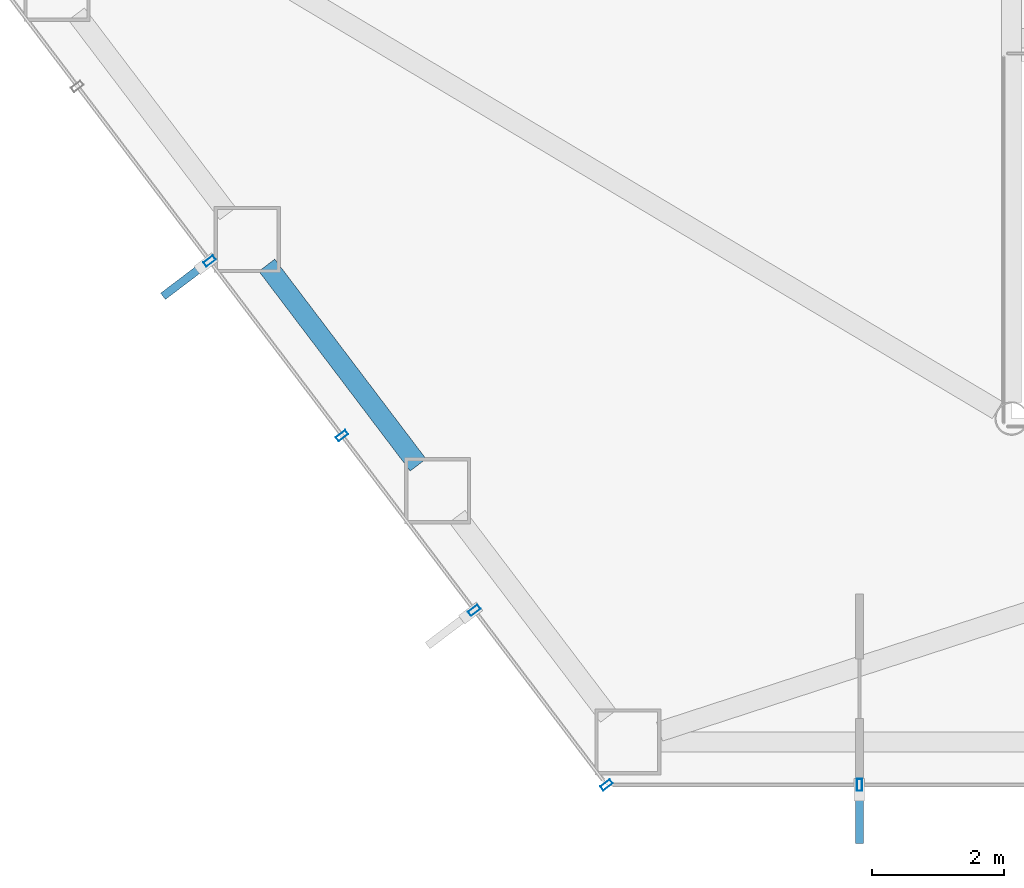
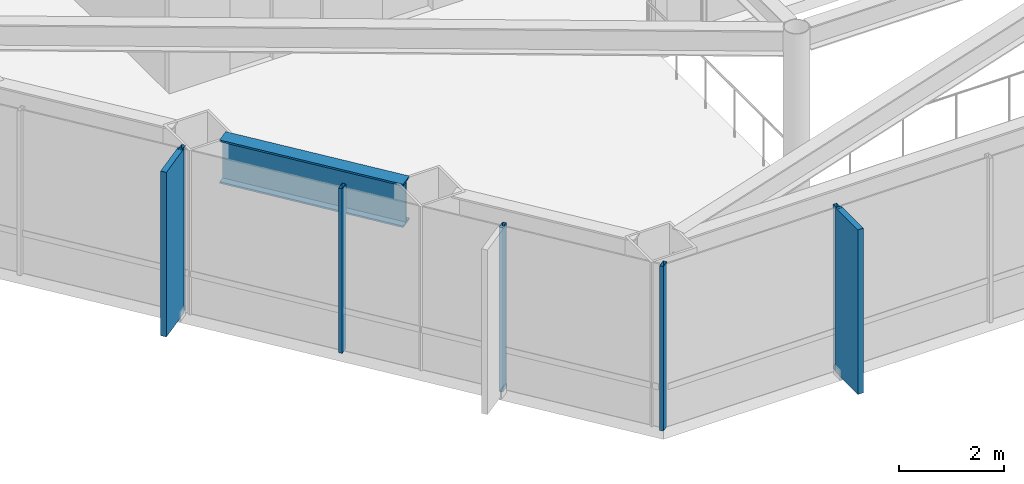
# One storey, part 2 of 25: 7 members, 1 beam, 2 elements without a shape of their own.
"""IFC4 building model written with IfcOpenShell, lengths in metres."""

from ifc_helpers import new_model, si_unit, direction, frame, origin, origin_2d, place, context, subcontext, project, spatial, rectangle, hollow_rectangle, i_section, extrude, material, layer, layer_set, material_profile, profile_set, type_object, element, aggregate, save


model = new_model("IFC4")

# Units and contexts
model_context = context("Model", 3, precision=1e-05, world=origin(), true_north=direction((0.0, 1.0)))
body_context = subcontext(model_context, "Body", "Model", "MODEL_VIEW")
ifc_project = project(units=[si_unit("LENGTHUNIT", "METRE"), si_unit("AREAUNIT", "SQUARE_METRE"), si_unit("VOLUMEUNIT", "CUBIC_METRE"), si_unit("PLANEANGLEUNIT", "RADIAN"), si_unit("MASSUNIT", "GRAM", prefix="KILO")], contexts=[model_context])

# Site, building, storey
site_placement = place(None, origin())
site = spatial("IfcSite", under=ifc_project, at=site_placement, CompositionType="ELEMENT")
building_placement = place(site_placement, origin())
building = spatial("IfcBuilding", under=site, at=building_placement, Name="Zarrinselat Tower", CompositionType="ELEMENT")
storey_placement = place(building_placement, frame((0.0, 0.0, 56.10009765625)))
storey = spatial("IfcBuildingStorey", under=building, at=storey_placement, Name="L13", CompositionType="ELEMENT", Elevation=56.10009765625)

# Beam
ifc_material_1 = material(Name="Steel S460M", Category="steel")
ifc_material_profile_1 = material_profile(ifc_material_1, i_section(OverallWidth=0.302001953125, OverallDepth=1.008056640625, WebThickness=0.02099609375, FlangeThickness=0.0400390625, at=origin_2d()), Name="HEM 1000")
ifc_profile_set_1 = profile_set([ifc_material_profile_1], Name="Steel S460M")
beam_type = type_object("IfcBeamType", Name="BM-HEM1000", PredefinedType="BEAM", material=ifc_profile_set_1)
beam_placement = place(storey_placement, frame((22.541015625, 26.718017578125, 3.31591796875), z_axis=(0.603839076561, -0.797106247384, 0.0), x_axis=(0.797106247384, 0.603839076561, 0.0)))
element("IfcBeam", 1, at=beam_placement, inside=storey, type_object=beam_type, Name="L13 Perimeter Spandrel Girder SP08", PredefinedType="BEAM", context=body_context, shape_type="SweptSolid", body=[
    extrude(i_section(OverallWidth=0.302001953125, OverallDepth=1.008056640625, WebThickness=0.02099609375, FlangeThickness=0.0400390625, at=origin_2d()), origin(), (0.0, 0.0, 1.0), 3.788330078125),
])

# Curtain wall, members
ifc_material_2 = material(Name="Extruded Aluminium Alloy EN AW-6063 T6", Category="aluminium")
ifc_layer = layer(ifc_material_2, 0.18505859375)
ifc_layer_set = layer_set([ifc_layer], Name="Extruded Aluminium Alloy EN AW-6063 T6")
curtain_wall_type = type_object("IfcCurtainWallType", Name="CWS-OFF", PredefinedType="NOTDEFINED", material=ifc_layer_set)
curtain_wall_1_placement = place(storey_placement, origin())
curtain_wall_1 = element("IfcCurtainWall", 2, at=curtain_wall_1_placement, inside=storey, type_object=curtain_wall_type, Name="L13 Unitised Curtain Wall CW-L13-E03", PredefinedType="NOTDEFINED")
ifc_material_3 = material(Name="Extruded Aluminium Alloy EN AW-6063 T6", Category="aluminium")
ifc_material_profile_2 = material_profile(ifc_material_3, hollow_rectangle(XDim=0.080078125, YDim=0.179931640625, WallThickness=0.0048828125, at=origin_2d()), Name="RHS 180x80x5")
ifc_profile_set_2 = profile_set([ifc_material_profile_2], Name="Extruded Aluminium Alloy EN AW-6063 T6")
member_type_1 = type_object("IfcMemberType", Name="MEM-CW-MUL", PredefinedType="MULLION", material=ifc_profile_set_2)
member_1_placement = place(storey_placement, frame((21.677001953125, 26.781982421875, 0.0), z_axis=(0.0, 0.0, 1.0), x_axis=(0.603861563254, -0.797089212337, 0.0)))
member_1 = element("IfcMember", 3, at=member_1_placement, type_object=member_type_1, Name="CW-L13-E03 Mullion 3", PredefinedType="MULLION", context=body_context, shape_type="SweptSolid", body=[
    extrude(hollow_rectangle(XDim=0.080078125, YDim=0.179931640625, WallThickness=0.0048828125, at=origin_2d()), origin(), (0.0, 0.0, 1.0), 3.81982421875),
])
member_2_placement = place(storey_placement, frame((23.67724609375, 24.141845703125, 0.0), z_axis=(0.0, 0.0, 1.0), x_axis=(0.603861563254, -0.797089212337, 0.0)))
member_2 = element("IfcMember", 4, at=member_2_placement, type_object=member_type_1, Name="CW-L13-E03 Mullion 4", PredefinedType="MULLION", context=body_context, shape_type="SweptSolid", body=[
    extrude(hollow_rectangle(XDim=0.080078125, YDim=0.179931640625, WallThickness=0.0048828125, at=origin_2d()), origin(), (0.0, 0.0, 1.0), 3.81982421875),
])
member_3_placement = place(storey_placement, frame((25.67724609375, 21.501708984375, 0.0), z_axis=(0.0, 0.0, 1.0), x_axis=(0.603861563254, -0.797089212337, 0.0)))
member_3 = element("IfcMember", 5, at=member_3_placement, type_object=member_type_1, Name="CW-L13-E03 Mullion 5", PredefinedType="MULLION", context=body_context, shape_type="SweptSolid", body=[
    extrude(hollow_rectangle(XDim=0.080078125, YDim=0.179931640625, WallThickness=0.0048828125, at=origin_2d()), origin(), (0.0, 0.0, 1.0), 3.81982421875),
])
member_4_placement = place(storey_placement, frame((27.677490234375, 18.86181640625, 0.0), z_axis=(0.0, 0.0, 1.0), x_axis=(0.603861563254, -0.797089212337, 0.0)))
member_4 = element("IfcMember", 6, at=member_4_placement, type_object=member_type_1, Name="CW-L13-E03 Mullion 6", PredefinedType="MULLION", context=body_context, shape_type="SweptSolid", body=[
    extrude(hollow_rectangle(XDim=0.080078125, YDim=0.179931640625, WallThickness=0.0048828125, at=origin_2d()), origin(), (0.0, 0.0, 1.0), 3.81982421875),
])

# Curtain wall, member
curtain_wall_2_placement = place(storey_placement, origin())
curtain_wall_2 = element("IfcCurtainWall", 7, at=curtain_wall_2_placement, inside=storey, type_object=curtain_wall_type, Name="L13 Unitised Curtain Wall CW-L13-E04", PredefinedType="NOTDEFINED")
member_5_placement = place(storey_placement, frame((31.5, 18.86181640625, 0.0), z_axis=(0.0, 0.0, 1.0), x_axis=(1.0, 0.0, 0.0)))
member_5 = element("IfcMember", 8, at=member_5_placement, type_object=member_type_1, Name="CW-L13-E04 Mullion 1", PredefinedType="MULLION", context=body_context, shape_type="SweptSolid", body=[
    extrude(hollow_rectangle(XDim=0.080078125, YDim=0.179931640625, WallThickness=0.0048828125, at=origin_2d()), origin(), (0.0, 0.0, 1.0), 3.81982421875),
])

# Member
ifc_material_4 = material(Name="Honed Cream Travertine Stone", Category="masonry")
ifc_material_profile_3 = material_profile(ifc_material_4, rectangle(XDim=0.1201171875, YDim=0.85009765625, at=origin_2d()), Name="FIN 850x120")
ifc_profile_set_3 = profile_set([ifc_material_profile_3], Name="Honed Cream Travertine Stone")
member_type_2 = type_object("IfcMemberType", Name="MEM-STONE-FIN", PredefinedType="USERDEFINED", material=ifc_profile_set_3)
member_6_placement = place(storey_placement, frame((21.310302734375, 26.504150390625, 0.0), z_axis=(0.0, 0.0, 1.0), x_axis=(-0.603861563254, 0.797089212337, 0.0)))
member_6 = element("IfcMember", 9, at=member_6_placement, type_object=member_type_2, Name="L13 Stone Shading Fin CW-L13-E03-03", ObjectType="FIN", PredefinedType="USERDEFINED", context=body_context, shape_type="SweptSolid", body=[
    extrude(rectangle(XDim=0.1201171875, YDim=0.85009765625, at=origin_2d()), origin(), (0.0, 0.0, 1.0), 3.81982421875),
])

aggregate(curtain_wall_1, [member_1, member_6, member_2, member_3, member_4])

member_7_placement = place(storey_placement, frame((31.5, 18.401611328125, 0.0), z_axis=(0.0, 0.0, 1.0), x_axis=(-1.0, 0.0, 0.0)))
member_7 = element("IfcMember", 10, at=member_7_placement, type_object=member_type_2, Name="L13 Stone Shading Fin CW-L13-E04-01", ObjectType="FIN", PredefinedType="USERDEFINED", context=body_context, shape_type="SweptSolid", body=[
    extrude(rectangle(XDim=0.1201171875, YDim=0.85009765625, at=origin_2d()), origin(), (0.0, 0.0, 1.0), 3.81982421875),
])

aggregate(curtain_wall_2, [member_5, member_7])

save(model, "model.ifc")
